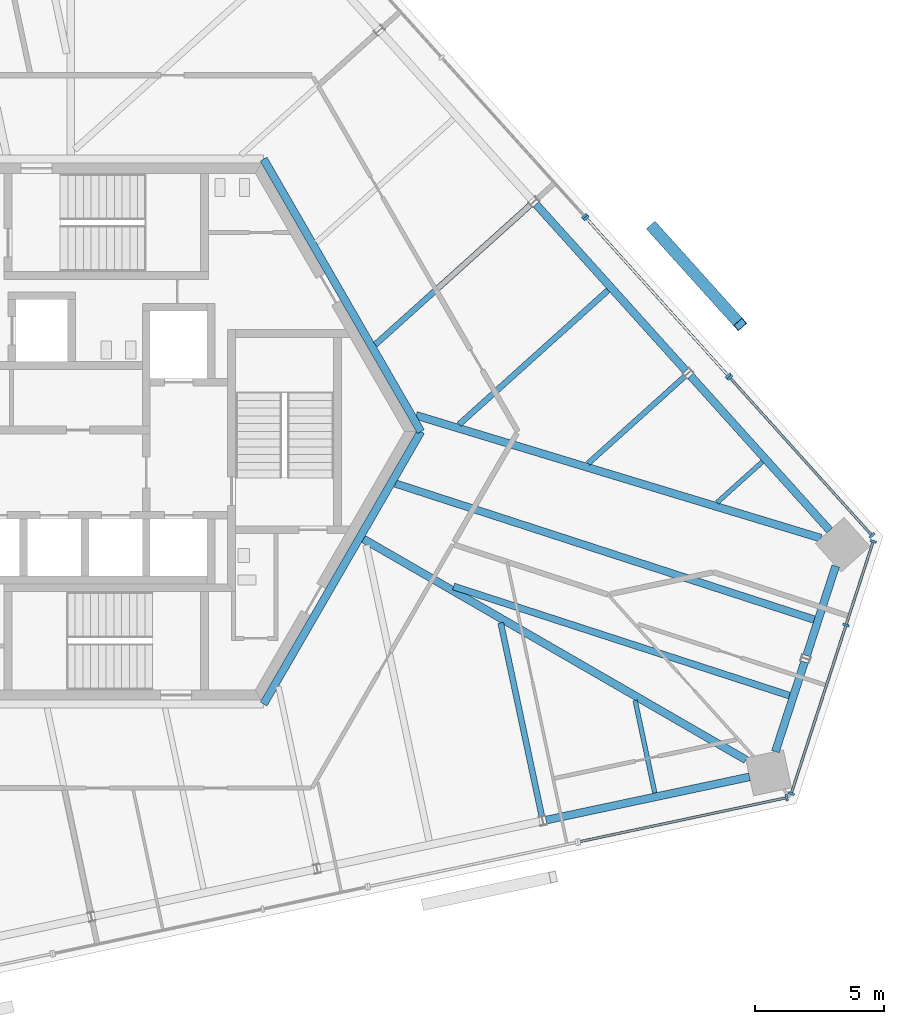
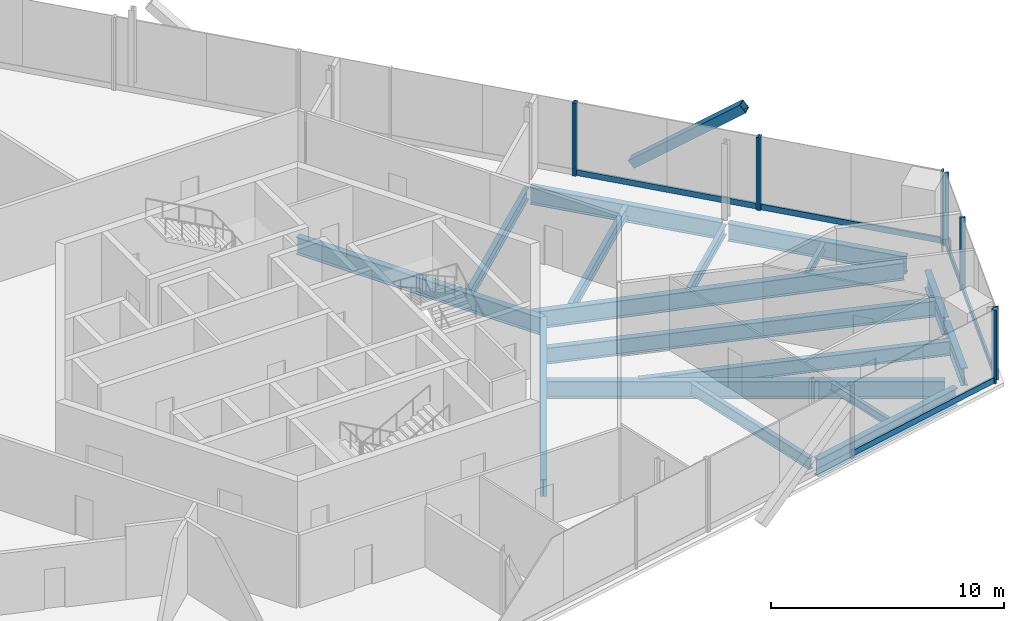
# One storey, part 6 of 14: 17 beams, 15 members, 5 elements without a shape of their own.
"""IFC4 building model written with IfcOpenShell, lengths in metres."""

from ifc_helpers import new_model, si_unit, direction, frame, origin, origin_2d, place, context, subcontext, project, spatial, rectangle, hollow_rectangle, i_section, extrude, source, transform, mapped, material, material_profile, profile_set, type_object, element, aggregate, save


model = new_model("IFC4")

# Units and contexts
model_context = context("Model", 3, precision=1e-05, world=origin(), true_north=direction((0.0, 1.0)))
body_context = subcontext(model_context, "Body", "Model", "MODEL_VIEW")
ifc_project = project(units=[si_unit("LENGTHUNIT", "METRE"), si_unit("AREAUNIT", "SQUARE_METRE"), si_unit("VOLUMEUNIT", "CUBIC_METRE"), si_unit("PLANEANGLEUNIT", "RADIAN"), si_unit("MASSUNIT", "GRAM", prefix="KILO")], contexts=[model_context])

# Site, building, storey
site_placement = place(None, origin())
site = spatial("IfcSite", under=ifc_project, at=site_placement, CompositionType="ELEMENT")
building_placement = place(site_placement, origin())
building = spatial("IfcBuilding", under=site, at=building_placement, Name="Triune Harvest Tower", CompositionType="ELEMENT")
storey_placement = place(building_placement, frame((0.0, 0.0, 284.699951171875)))
storey = spatial("IfcBuildingStorey", under=building, at=storey_placement, Name="L75", CompositionType="ELEMENT", Elevation=284.699951171875)

# Beams
ifc_material_1 = material(Name="Steel ASTM A992 Gr 50", Category="steel")
ifc_material_profile_1 = material_profile(ifc_material_1, i_section(OverallWidth=0.3046875, OverallDepth=0.914306640625, WebThickness=0.0166015625, FlangeThickness=0.02587890625, at=origin_2d()), Name="W36x160")
ifc_profile_set_1 = profile_set([ifc_material_profile_1], Name="Steel ASTM A992 Gr 50")
beam_type_1 = type_object("IfcBeamType", Name="CG-1 Core ring girder W36x160", PredefinedType="BEAM", material=ifc_profile_set_1)
shared_shape_1 = source(origin(), body_context, "Body", "SweptSolid", [
    extrude(i_section(OverallWidth=0.3046875, OverallDepth=0.914306640625, WebThickness=0.0166015625, FlangeThickness=0.02587890625, at=origin_2d()), origin(), (0.0, 0.0, 1.0), 12.176025390625),
])
for number, where, z_axis, x_axis, name in (
    (1, (12.176025390625, 0.0, -0.63720703125), (-0.5000099932, 0.866019634131, 0.0), (-0.866019634131, -0.5000099932, 0.0), "beam/L75/CG1"),
    (2, (6.087890625, -10.544677734375, -0.63720703125), (0.5000099932, 0.866019634131, 0.0), (-0.866019634131, 0.5000099932, 0.0), "beam/L75/CG6"),
):
    element("IfcBeam", number, at=place(storey_placement, frame(where, z_axis=z_axis, x_axis=x_axis)), inside=storey, type_object=beam_type_1, Name=name, PredefinedType="BEAM", context=body_context, shape_type="MappedRepresentation", body=[
        mapped(shared_shape_1, transform((0.0, 0.0, 0.0), scale=1.0)),
    ])
ifc_material_2 = material(Name="Steel ASTM A992 Gr 50", Category="steel")
ifc_material_profile_2 = material_profile(ifc_material_2, i_section(OverallWidth=0.3046875, OverallDepth=0.914306640625, WebThickness=0.0166015625, FlangeThickness=0.02587890625, at=origin_2d()), Name="W36x160")
ifc_profile_set_2 = profile_set([ifc_material_profile_2], Name="Steel ASTM A992 Gr 50")
beam_type_2 = type_object("IfcBeamType", Name="SB-1 Spandrel beam W36x160", PredefinedType="SPANDREL", material=ifc_profile_set_2)
shared_shape_2 = source(origin(), body_context, "Body", "SweptSolid", [
    extrude(i_section(OverallWidth=0.3046875, OverallDepth=0.914306640625, WebThickness=0.0166015625, FlangeThickness=0.02587890625, at=origin_2d()), origin(), (0.0, 0.0, 1.0), 8.0498046875),
])
beam_1_placement = place(storey_placement, frame((27.991455078125, -3.82177734375, -0.63720703125), z_axis=(-0.669137301084, 0.743138797465, 0.0), x_axis=(-0.743138797465, -0.669137301084, 0.0)))
element("IfcBeam", 3, at=beam_1_placement, inside=storey, type_object=beam_type_2, Name="beam/L75/SB1", PredefinedType="SPANDREL", context=body_context, shape_type="MappedRepresentation", body=[
    mapped(shared_shape_2, transform((0.0, 0.0, 0.0), scale=1.0)),
])
shared_shape_3 = source(origin(), body_context, "Body", "SweptSolid", [
    extrude(i_section(OverallWidth=0.3046875, OverallDepth=0.914306640625, WebThickness=0.0166015625, FlangeThickness=0.02587890625, at=origin_2d()), origin(), (0.0, 0.0, 1.0), 8.671630859375),
])
beam_2_placement = place(storey_placement, frame((22.433349609375, 2.350830078125, -0.63720703125), z_axis=(-0.669114044563, 0.743159737452, 0.0), x_axis=(-0.743159737452, -0.669114044563, 0.0)))
element("IfcBeam", 4, at=beam_2_placement, inside=storey, type_object=beam_type_2, Name="beam/L75/SB2", PredefinedType="SPANDREL", context=body_context, shape_type="MappedRepresentation", body=[
    mapped(shared_shape_3, transform((0.0, 0.0, 0.0), scale=1.0)),
])
shared_shape_4 = source(origin(), body_context, "Body", "SweptSolid", [
    extrude(i_section(OverallWidth=0.3046875, OverallDepth=0.914306640625, WebThickness=0.0166015625, FlangeThickness=0.02587890625, at=origin_2d()), origin(), (0.0, 0.0, 1.0), 3.645751953125),
])
for number, where, z_axis, x_axis, name in (
    (5, (25.89306640625, -12.38134765625, -0.63720703125), (0.309046702753, 0.951046862945, 0.0), (-0.951046862945, 0.309046702753, 0.0), "beam/L75/SB20"),
    (6, (27.09912109375, -8.670166015625, -0.63720703125), (0.308986131058, 0.951066543841, 0.0), (-0.951066543841, 0.308986131058, 0.0), "beam/L75/SB21"),
):
    element("IfcBeam", number, at=place(storey_placement, frame(where, z_axis=z_axis, x_axis=x_axis)), inside=storey, type_object=beam_type_2, Name=name, PredefinedType="SPANDREL", context=body_context, shape_type="MappedRepresentation", body=[
        mapped(shared_shape_4, transform((0.0, 0.0, 0.0), scale=1.0)),
    ])
shared_shape_5 = source(origin(), body_context, "Body", "SweptSolid", [
    extrude(i_section(OverallWidth=0.3046875, OverallDepth=0.914306640625, WebThickness=0.0166015625, FlangeThickness=0.02587890625, at=origin_2d()), origin(), (0.0, 0.0, 1.0), 8.049560546875),
])
beam_3_placement = place(storey_placement, frame((17.01806640625, -15.034423828125, -0.63720703125), z_axis=(0.978148597907, 0.207906999431, 0.0), x_axis=(-0.207906999431, 0.978148597907, 0.0)))
element("IfcBeam", 7, at=beam_3_placement, inside=storey, type_object=beam_type_2, Name="beam/L75/SB19", PredefinedType="SPANDREL", context=body_context, shape_type="MappedRepresentation", body=[
    mapped(shared_shape_5, transform((0.0, 0.0, 0.0), scale=1.0)),
])
ifc_material_3 = material(Name="Steel ASTM A992 Gr 50", Category="steel")
ifc_material_profile_3 = material_profile(ifc_material_3, i_section(OverallWidth=0.3046875, OverallDepth=0.914306640625, WebThickness=0.0166015625, FlangeThickness=0.02587890625, at=origin_2d()), Name="W36x160")
ifc_profile_set_3 = profile_set([ifc_material_profile_3], Name="Steel ASTM A992 Gr 50")
beam_type_3 = type_object("IfcBeamType", Name="HG-3 Hip girder W36x160", PredefinedType="BEAM", material=ifc_profile_set_3)
shared_shape_6 = source(origin(), body_context, "Body", "SweptSolid", [
    extrude(i_section(OverallWidth=0.3046875, OverallDepth=0.914306640625, WebThickness=0.0166015625, FlangeThickness=0.02587890625, at=origin_2d()), origin(), (0.0, 0.0, 1.0), 16.370361328125),
])
beam_4_placement = place(storey_placement, frame((27.65478515625, -4.124755859375, -0.63720703125), z_axis=(-0.956924757428, 0.29033602708, 0.0), x_axis=(-0.29033602708, -0.956924757428, 0.0)))
element("IfcBeam", 8, at=beam_4_placement, inside=storey, type_object=beam_type_3, Name="beam/L75/HG1", PredefinedType="BEAM", context=body_context, shape_type="MappedRepresentation", body=[
    mapped(shared_shape_6, transform((0.0, 0.0, 0.0), scale=1.0)),
])
shared_shape_7 = source(origin(), body_context, "Body", "SweptSolid", [
    extrude(i_section(OverallWidth=0.3046875, OverallDepth=0.914306640625, WebThickness=0.0166015625, FlangeThickness=0.02587890625, at=origin_2d()), origin(), (0.0, 0.0, 1.0), 17.088623046875),
])
beam_5_placement = place(storey_placement, frame((24.75146484375, -12.700439453125, -0.63720703125), z_axis=(-0.866020709961, 0.500008129852, 0.0), x_axis=(-0.500008129852, -0.866020709961, 0.0)))
element("IfcBeam", 9, at=beam_5_placement, inside=storey, type_object=beam_type_3, Name="beam/L75/HG8", PredefinedType="BEAM", context=body_context, shape_type="MappedRepresentation", body=[
    mapped(shared_shape_7, transform((0.0, 0.0, 0.0), scale=1.0)),
])
ifc_material_4 = material(Name="Steel ASTM A992 Gr 50", Category="steel")
ifc_material_profile_4 = material_profile(ifc_material_4, i_section(OverallWidth=0.180908203125, OverallDepth=0.41650390625, WebThickness=0.010986328125, FlangeThickness=0.01806640625, at=origin_2d()), Name="W16x57")
ifc_profile_set_4 = profile_set([ifc_material_profile_4], Name="Steel ASTM A992 Gr 50")
beam_type_4 = type_object("IfcBeamType", Name="JT-1 Floor joist W16x57", PredefinedType="JOIST", material=ifc_profile_set_4)
shared_shape_8 = source(origin(), body_context, "Body", "SweptSolid", [
    extrude(i_section(OverallWidth=0.180908203125, OverallDepth=0.41650390625, WebThickness=0.010986328125, FlangeThickness=0.01806640625, at=origin_2d()), origin(), (0.0, 0.0, 1.0), 2.364990234375),
])
beam_6_placement = place(storey_placement, frame((25.39306640625, -1.163818359375, -0.38818359375), z_axis=(-0.743196605909, -0.669073093888, 0.0), x_axis=(0.669073093888, -0.743196605909, 0.0)))
element("IfcBeam", 10, at=beam_6_placement, inside=storey, type_object=beam_type_4, Name="beam/L75/JT1", PredefinedType="JOIST", context=body_context, shape_type="MappedRepresentation", body=[
    mapped(shared_shape_8, transform((0.0, 0.0, 0.0), scale=1.0)),
])
ifc_material_5 = material(Name="Steel ASTM A992 Gr 50", Category="steel")
ifc_material_profile_5 = material_profile(ifc_material_5, i_section(OverallWidth=0.2099609375, OverallDepth=0.535888671875, WebThickness=0.010986328125, FlangeThickness=0.017333984375, at=origin_2d()), Name="W21x68")
ifc_profile_set_5 = profile_set([ifc_material_profile_5], Name="Steel ASTM A992 Gr 50")
beam_type_5 = type_object("IfcBeamType", Name="JT-2 Floor joist W21x68", PredefinedType="JOIST", material=ifc_profile_set_5)
shared_shape_9 = source(origin(), body_context, "Body", "SweptSolid", [
    extrude(i_section(OverallWidth=0.2099609375, OverallDepth=0.535888671875, WebThickness=0.010986328125, FlangeThickness=0.017333984375, at=origin_2d()), origin(), (0.0, 0.0, 1.0), 5.031982421875),
])
beam_7_placement = place(storey_placement, frame((22.38525390625, 2.135009765625, -0.447998046875), z_axis=(-0.743132491089, -0.669144304831, 0.0), x_axis=(0.669144304831, -0.743132491089, 0.0)))
element("IfcBeam", 11, at=beam_7_placement, inside=storey, type_object=beam_type_5, Name="beam/L75/JT2", PredefinedType="JOIST", context=body_context, shape_type="MappedRepresentation", body=[
    mapped(shared_shape_9, transform((0.0, 0.0, 0.0), scale=1.0)),
])
ifc_material_6 = material(Name="Steel ASTM A992 Gr 50", Category="steel")
ifc_material_profile_6 = material_profile(ifc_material_6, i_section(OverallWidth=0.22900390625, OverallDepth=0.612060546875, WebThickness=0.011962890625, FlangeThickness=0.01953125, at=origin_2d()), Name="W24x84")
ifc_profile_set_6 = profile_set([ifc_material_profile_6], Name="Steel ASTM A992 Gr 50")
beam_type_6 = type_object("IfcBeamType", Name="JT-3 Floor joist W24x84", PredefinedType="JOIST", material=ifc_profile_set_6)
shared_shape_10 = source(origin(), body_context, "Body", "SweptSolid", [
    extrude(i_section(OverallWidth=0.22900390625, OverallDepth=0.612060546875, WebThickness=0.011962890625, FlangeThickness=0.01953125, at=origin_2d()), origin(), (0.0, 0.0, 1.0), 7.755126953125),
])
beam_8_placement = place(storey_placement, frame((19.4189453125, 5.470947265625, -0.486083984375), z_axis=(-0.743143852868, -0.66913168655, 0.0), x_axis=(0.66913168655, -0.743143852868, 0.0)))
element("IfcBeam", 12, at=beam_8_placement, inside=storey, type_object=beam_type_6, Name="beam/L75/JT3", PredefinedType="JOIST", context=body_context, shape_type="MappedRepresentation", body=[
    mapped(shared_shape_10, transform((0.0, 0.0, 0.0), scale=1.0)),
])
shared_shape_11 = source(origin(), body_context, "Body", "SweptSolid", [
    extrude(i_section(OverallWidth=0.22900390625, OverallDepth=0.612060546875, WebThickness=0.011962890625, FlangeThickness=0.01953125, at=origin_2d()), origin(), (0.0, 0.0, 1.0), 8.076904296875),
])
beam_9_placement = place(storey_placement, frame((16.4111328125, 8.769775390625, -0.486083984375), z_axis=(-0.743136309392, -0.669140064308, 0.0), x_axis=(0.669140064308, -0.743136309392, 0.0)))
element("IfcBeam", 13, at=beam_9_placement, inside=storey, type_object=beam_type_6, Name="beam/L75/JT4", PredefinedType="JOIST", context=body_context, shape_type="MappedRepresentation", body=[
    mapped(shared_shape_11, transform((0.0, 0.0, 0.0), scale=1.0)),
])
shared_shape_12 = source(origin(), body_context, "Body", "SweptSolid", [
    extrude(i_section(OverallWidth=0.22900390625, OverallDepth=0.612060546875, WebThickness=0.011962890625, FlangeThickness=0.01953125, at=origin_2d()), origin(), (0.0, 0.0, 1.0), 7.6533203125),
])
beam_10_placement = place(storey_placement, frame((16.85498046875, -14.884765625, -0.486083984375), z_axis=(-0.207892711211, 0.978151634781, 0.0), x_axis=(-0.978151634781, -0.207892711211, 0.0)))
element("IfcBeam", 14, at=beam_10_placement, inside=storey, type_object=beam_type_6, Name="beam/L75/JT30", PredefinedType="JOIST", context=body_context, shape_type="MappedRepresentation", body=[
    mapped(shared_shape_12, transform((0.0, 0.0, 0.0), scale=1.0)),
])
shared_shape_13 = source(origin(), body_context, "Body", "SweptSolid", [
    extrude(i_section(OverallWidth=0.180908203125, OverallDepth=0.41650390625, WebThickness=0.010986328125, FlangeThickness=0.01806640625, at=origin_2d()), origin(), (0.0, 0.0, 1.0), 3.661865234375),
])
beam_11_placement = place(storey_placement, frame((21.227294921875, -13.98388671875, -0.38818359375), z_axis=(-0.20788506993, 0.9781532588, 0.0), x_axis=(-0.9781532588, -0.20788506993, 0.0)))
element("IfcBeam", 15, at=beam_11_placement, inside=storey, type_object=beam_type_4, Name="beam/L75/JT31", PredefinedType="JOIST", context=body_context, shape_type="MappedRepresentation", body=[
    mapped(shared_shape_13, transform((0.0, 0.0, 0.0), scale=1.0)),
])
ifc_material_7 = material(Name="Steel ASTM A992 Gr 50", Category="steel")
ifc_material_profile_7 = material_profile(ifc_material_7, i_section(OverallWidth=0.2666015625, OverallDepth=0.7568359375, WebThickness=0.013916015625, FlangeThickness=0.019287109375, at=origin_2d()), Name="W30x108")
ifc_profile_set_7 = profile_set([ifc_material_profile_7], Name="Steel ASTM A992 Gr 50")
beam_type_7 = type_object("IfcBeamType", Name="JT-5 Floor joist W30x108", PredefinedType="JOIST", material=ifc_profile_set_7)
shared_shape_14 = source(origin(), body_context, "Body", "SweptSolid", [
    extrude(i_section(OverallWidth=0.2666015625, OverallDepth=0.7568359375, WebThickness=0.013916015625, FlangeThickness=0.019287109375, at=origin_2d()), origin(), (0.0, 0.0, 1.0), 13.667724609375),
])
beam_12_placement = place(storey_placement, frame((26.4365234375, -10.216064453125, -0.558349609375), z_axis=(-0.951054938162, 0.309021851327, 0.0), x_axis=(-0.309021851327, -0.951054938162, 0.0)))
element("IfcBeam", 16, at=beam_12_placement, inside=storey, type_object=beam_type_7, Name="beam/L75/JT32", PredefinedType="JOIST", context=body_context, shape_type="MappedRepresentation", body=[
    mapped(shared_shape_14, transform((0.0, 0.0, 0.0), scale=1.0)),
])
ifc_material_8 = material(Name="Steel ASTM A992 Gr 50", Category="steel")
ifc_material_profile_8 = material_profile(ifc_material_8, i_section(OverallWidth=0.2919921875, OverallDepth=0.8408203125, WebThickness=0.0146484375, FlangeThickness=0.021728515625, at=origin_2d()), Name="W33x130")
ifc_profile_set_8 = profile_set([ifc_material_profile_8], Name="Steel ASTM A992 Gr 50")
beam_type_8 = type_object("IfcBeamType", Name="JT-6 Floor joist W33x130", PredefinedType="JOIST", material=ifc_profile_set_8)
shared_shape_15 = source(origin(), body_context, "Body", "SweptSolid", [
    extrude(i_section(OverallWidth=0.2919921875, OverallDepth=0.8408203125, WebThickness=0.0146484375, FlangeThickness=0.021728515625, at=origin_2d()), origin(), (0.0, 0.0, 1.0), 17.03466796875),
])
beam_13_placement = place(storey_placement, frame((27.392333984375, -7.27392578125, -0.600341796875), z_axis=(-0.951057974177, 0.30901250744, 0.0), x_axis=(-0.30901250744, -0.951057974177, 0.0)))
element("IfcBeam", 17, at=beam_13_placement, inside=storey, type_object=beam_type_8, Name="beam/L75/JT33", PredefinedType="JOIST", context=body_context, shape_type="MappedRepresentation", body=[
    mapped(shared_shape_15, transform((0.0, 0.0, 0.0), scale=1.0)),
])

# Member
ifc_material_9 = material(Name="Steel ASTM A572 Gr 50", Category="steel")
ifc_material_profile_9 = material_profile(ifc_material_9, hollow_rectangle(XDim=0.449951171875, YDim=0.449951171875, WallThickness=0.02490234375, at=origin_2d()), Name="Box 450x450x25")
ifc_profile_set_9 = profile_set([ifc_material_profile_9], Name="Steel ASTM A572 Gr 50")
member_type_1 = type_object("IfcMemberType", Name="BR-4 Brace Box 450x450x25", PredefinedType="BRACE", material=ifc_profile_set_9)
shared_shape_16 = source(origin(), body_context, "Body", "SweptSolid", [
    extrude(hollow_rectangle(XDim=0.449951171875, YDim=0.449951171875, WallThickness=0.02490234375, at=origin_2d()), origin(), (0.0, 0.0, 1.0), 6.432373046875),
])
member_1_placement = place(storey_placement, frame((21.160400390625, 7.890380859375, 0.0), z_axis=(0.524003418583, -0.581998292086, 0.62185079024), x_axis=(0.743163999346, 0.669109311007, 0.0)))
element("IfcMember", 18, at=member_1_placement, inside=storey, type_object=member_type_1, Name="brace/B7-F1/d2/8", PredefinedType="BRACE", context=body_context, shape_type="MappedRepresentation", body=[
    mapped(shared_shape_16, transform((0.0, 0.0, 0.0), scale=1.0)),
])

# Curtain wall, members
ifc_material_10 = material(Name="Aluminium bronze anodised", Category="aluminium")
curtain_wall_type_1 = type_object("IfcCurtainWallType", Name="CW-4 Sky lobby tall glazing wall", PredefinedType="NOTDEFINED", material=ifc_material_10)
curtain_wall_1_placement = place(storey_placement, origin())
curtain_wall_1 = element("IfcCurtainWall", 19, at=curtain_wall_1_placement, inside=storey, type_object=curtain_wall_type_1, Name="CW-4 B7-F1 L75 run 1")
ifc_material_11 = material(Name="Aluminium bronze anodised", Category="aluminium")
ifc_material_profile_10 = material_profile(ifc_material_11, rectangle(XDim=0.25, YDim=0.090087890625, at=origin_2d()), Name="MU-4 mullion 90 x 250")
ifc_profile_set_10 = profile_set([ifc_material_profile_10], Name="Aluminium bronze anodised")
member_type_2 = type_object("IfcMemberType", Name="MU-4 mullion 90 x 250", PredefinedType="MULLION", material=ifc_profile_set_10)
shared_shape_17 = source(origin(), body_context, "Body", "SweptSolid", [
    extrude(rectangle(XDim=0.25, YDim=0.090087890625, at=origin_2d()), origin(), (0.0, 0.0, 1.0), 3.820068359375),
])
member_2_placement = place(storey_placement, frame((29.629150390625, -4.01806640625, 0.0), z_axis=(0.0, 0.0, 1.0), x_axis=(-0.743148584318, -0.66912643172, 0.0)))
member_2 = element("IfcMember", 20, at=member_2_placement, type_object=member_type_2, Name="CW-4 mullion B7-F1 1.1", PredefinedType="MULLION", context=body_context, shape_type="MappedRepresentation", body=[
    mapped(shared_shape_17, transform((0.0, 0.0, 0.0), scale=1.0)),
])
member_3_placement = place(storey_placement, frame((24.1279296875, 2.091552734375, 0.0), z_axis=(0.0, 0.0, 1.0), x_axis=(-0.743148584318, -0.66912643172, 0.0)))
member_3 = element("IfcMember", 21, at=member_3_placement, type_object=member_type_2, Name="CW-4 mullion B7-F1 1.3", PredefinedType="MULLION", context=body_context, shape_type="MappedRepresentation", body=[
    mapped(shared_shape_17, transform((0.0, 0.0, 0.0), scale=1.0)),
])

ifc_material_12 = material(Name="Aluminium bronze anodised", Category="aluminium")
curtain_wall_type_2 = type_object("IfcCurtainWallType", Name="CW-9 Sky lobby tall glazing wall with insulated spandrel infill", PredefinedType="NOTDEFINED", material=ifc_material_12)
curtain_wall_2_placement = place(storey_placement, origin())
curtain_wall_2 = element("IfcCurtainWall", 22, at=curtain_wall_2_placement, inside=storey, type_object=curtain_wall_type_2, Name="CW-9 B7-F1 L75 run 1001")
member_4_placement = place(storey_placement, frame((24.067626953125, 2.158447265625, 0.0), z_axis=(0.0, 0.0, 1.0), x_axis=(-0.743134990917, -0.669141528583, 0.0)))
member_4 = element("IfcMember", 23, at=member_4_placement, type_object=member_type_2, Name="CW-9 mullion B7-F1 1001.1", PredefinedType="MULLION", context=body_context, shape_type="MappedRepresentation", body=[
    mapped(shared_shape_17, transform((0.0, 0.0, 0.0), scale=1.0)),
])
member_5_placement = place(storey_placement, frame((18.566162109375, 8.268310546875, 0.0), z_axis=(0.0, 0.0, 1.0), x_axis=(-0.743134990917, -0.669141528583, 0.0)))
member_5 = element("IfcMember", 24, at=member_5_placement, type_object=member_type_2, Name="CW-9 mullion B7-F1 1001.3", PredefinedType="MULLION", context=body_context, shape_type="MappedRepresentation", body=[
    mapped(shared_shape_17, transform((0.0, 0.0, 0.0), scale=1.0)),
])

# Curtain wall, member
curtain_wall_3_placement = place(storey_placement, origin())
curtain_wall_3 = element("IfcCurtainWall", 25, at=curtain_wall_3_placement, inside=storey, type_object=curtain_wall_type_1, Name="CW-4 B7-F1 L75 run 2001")
member_6_placement = place(storey_placement, frame((18.506103515625, 8.335205078125, 0.0), z_axis=(0.0, 0.0, 1.0), x_axis=(-0.743150150549, -0.66912469222, 0.0)))
member_6 = element("IfcMember", 26, at=member_6_placement, type_object=member_type_2, Name="CW-4 mullion B7-F1 2001.1", PredefinedType="MULLION", context=body_context, shape_type="MappedRepresentation", body=[
    mapped(shared_shape_17, transform((0.0, 0.0, 0.0), scale=1.0)),
])
aggregate(curtain_wall_3, [member_6])

curtain_wall_4_placement = place(storey_placement, origin())
curtain_wall_4 = element("IfcCurtainWall", 27, at=curtain_wall_4_placement, inside=storey, type_object=curtain_wall_type_1, Name="CW-4 B7-F5 L75 run 4001")
member_7_placement = place(storey_placement, frame((26.332275390625, -14.16455078125, 0.0), z_axis=(0.0, 0.0, 1.0), x_axis=(-0.207912869922, 0.978147350107, 0.0)))
member_7 = element("IfcMember", 28, at=member_7_placement, type_object=member_type_2, Name="CW-4 mullion B7-F5 4001.3", PredefinedType="MULLION", context=body_context, shape_type="MappedRepresentation", body=[
    mapped(shared_shape_17, transform((0.0, 0.0, 0.0), scale=1.0)),
])

# Curtain wall, members
curtain_wall_5_placement = place(storey_placement, origin())
curtain_wall_5 = element("IfcCurtainWall", 29, at=curtain_wall_5_placement, inside=storey, type_object=curtain_wall_type_1, Name="CW-4 B7-F6 L75 run 1")
member_8_placement = place(storey_placement, frame((26.506103515625, -14.00830078125, 0.0), z_axis=(0.0, 0.0, 1.0), x_axis=(-0.951055902733, 0.309018882717, 0.0)))
member_8 = element("IfcMember", 30, at=member_8_placement, type_object=member_type_2, Name="CW-4 mullion B7-F6 1.1", PredefinedType="MULLION", context=body_context, shape_type="MappedRepresentation", body=[
    mapped(shared_shape_17, transform((0.0, 0.0, 0.0), scale=1.0)),
])
member_9_placement = place(storey_placement, frame((28.625, -7.486328125, 0.0), z_axis=(0.0, 0.0, 1.0), x_axis=(-0.951055902733, 0.309018882717, 0.0)))
member_9 = element("IfcMember", 31, at=member_9_placement, type_object=member_type_2, Name="CW-4 mullion B7-F6 1.3", PredefinedType="MULLION", context=body_context, shape_type="MappedRepresentation", body=[
    mapped(shared_shape_17, transform((0.0, 0.0, 0.0), scale=1.0)),
])
member_10_placement = place(storey_placement, frame((29.677734375, -4.246826171875, 0.0), z_axis=(0.0, 0.0, 1.0), x_axis=(-0.951055902733, 0.309018882717, 0.0)))
member_10 = element("IfcMember", 32, at=member_10_placement, type_object=member_type_2, Name="CW-4 mullion B7-F6 1.4", PredefinedType="MULLION", context=body_context, shape_type="MappedRepresentation", body=[
    mapped(shared_shape_17, transform((0.0, 0.0, 0.0), scale=1.0)),
])

# Member
ifc_material_13 = material(Name="Aluminium bronze anodised", Category="aluminium")
ifc_material_profile_11 = material_profile(ifc_material_13, rectangle(XDim=0.10009765625, YDim=0.300048828125, at=origin_2d()), Name="TR-4 transom 100 x 300")
ifc_profile_set_11 = profile_set([ifc_material_profile_11], Name="Aluminium bronze anodised")
member_type_3 = type_object("IfcMemberType", Name="TR-4 transom 100 x 300", PredefinedType="USERDEFINED", material=ifc_profile_set_11)
shared_shape_18 = source(origin(), body_context, "Body", "SweptSolid", [
    extrude(rectangle(XDim=0.10009765625, YDim=0.300048828125, at=origin_2d()), origin(), (0.0, 0.0, 1.0), 8.13134765625),
])
member_11_placement = place(storey_placement, frame((29.598876953125, -3.984619140625, 0.150146484375), z_axis=(-0.669132256221, 0.743143339932, 0.0), x_axis=(-0.743143339932, -0.669132256221, 0.0)))
member_11 = element("IfcMember", 33, at=member_11_placement, type_object=member_type_3, Name="CW-4 transom B7-F1 1.1", ObjectType="TRANSOM", PredefinedType="USERDEFINED", context=body_context, shape_type="MappedRepresentation", body=[
    mapped(shared_shape_18, transform((0.0, 0.0, 0.0), scale=1.0)),
])

aggregate(curtain_wall_1, [member_2, member_3, member_11])

shared_shape_19 = source(origin(), body_context, "Body", "SweptSolid", [
    extrude(rectangle(XDim=0.10009765625, YDim=0.300048828125, at=origin_2d()), origin(), (0.0, 0.0, 1.0), 8.131591796875),
])
member_12_placement = place(storey_placement, frame((24.03759765625, 2.19189453125, 0.150146484375), z_axis=(-0.669133907537, 0.74314185307, 0.0), x_axis=(-0.74314185307, -0.669133907537, 0.0)))
member_12 = element("IfcMember", 34, at=member_12_placement, type_object=member_type_3, Name="CW-9 transom B7-F1 1001.1", ObjectType="TRANSOM", PredefinedType="USERDEFINED", context=body_context, shape_type="MappedRepresentation", body=[
    mapped(shared_shape_19, transform((0.0, 0.0, 0.0), scale=1.0)),
])

aggregate(curtain_wall_2, [member_4, member_5, member_12])

shared_shape_20 = source(origin(), body_context, "Body", "SweptSolid", [
    extrude(rectangle(XDim=0.10009765625, YDim=0.300048828125, at=origin_2d()), origin(), (0.0, 0.0, 1.0), 6.76708984375),
])
member_13_placement = place(storey_placement, frame((26.52001953125, -13.96533203125, 0.150146484375), z_axis=(0.30899960044, 0.951062167751, 0.0), x_axis=(-0.951062167751, 0.30899960044, 0.0)))
member_13 = element("IfcMember", 35, at=member_13_placement, type_object=member_type_3, Name="CW-4 transom B7-F6 1.1", ObjectType="TRANSOM", PredefinedType="USERDEFINED", context=body_context, shape_type="MappedRepresentation", body=[
    mapped(shared_shape_20, transform((0.0, 0.0, 0.0), scale=1.0)),
])

shared_shape_21 = source(origin(), body_context, "Body", "SweptSolid", [
    extrude(rectangle(XDim=0.10009765625, YDim=0.300048828125, at=origin_2d()), origin(), (0.0, 0.0, 1.0), 3.316162109375),
])
member_14_placement = place(storey_placement, frame((28.638916015625, -7.443603515625, 0.150146484375), z_axis=(0.309062766422, 0.951041642838, 0.0), x_axis=(-0.951041642838, 0.309062766422, 0.0)))
member_14 = element("IfcMember", 36, at=member_14_placement, type_object=member_type_3, Name="CW-4 transom B7-F6 1.2", ObjectType="TRANSOM", PredefinedType="USERDEFINED", context=body_context, shape_type="MappedRepresentation", body=[
    mapped(shared_shape_21, transform((0.0, 0.0, 0.0), scale=1.0)),
])

aggregate(curtain_wall_5, [member_8, member_9, member_10, member_13, member_14])

shared_shape_22 = source(origin(), body_context, "Body", "SweptSolid", [
    extrude(rectangle(XDim=0.10009765625, YDim=0.300048828125, at=origin_2d()), origin(), (0.0, 0.0, 1.0), 8.1318359375),
])
member_15_placement = place(storey_placement, frame((18.334228515625, -15.86474609375, 0.150146484375), z_axis=(0.978148167214, 0.20790902572, 0.0), x_axis=(-0.20790902572, 0.978148167214, 0.0)))
member_15 = element("IfcMember", 37, at=member_15_placement, type_object=member_type_3, Name="CW-4 transom B7-F5 4001.1", ObjectType="TRANSOM", PredefinedType="USERDEFINED", context=body_context, shape_type="MappedRepresentation", body=[
    mapped(shared_shape_22, transform((0.0, 0.0, 0.0), scale=1.0)),
])

aggregate(curtain_wall_4, [member_7, member_15])

save(model, "model.ifc")
